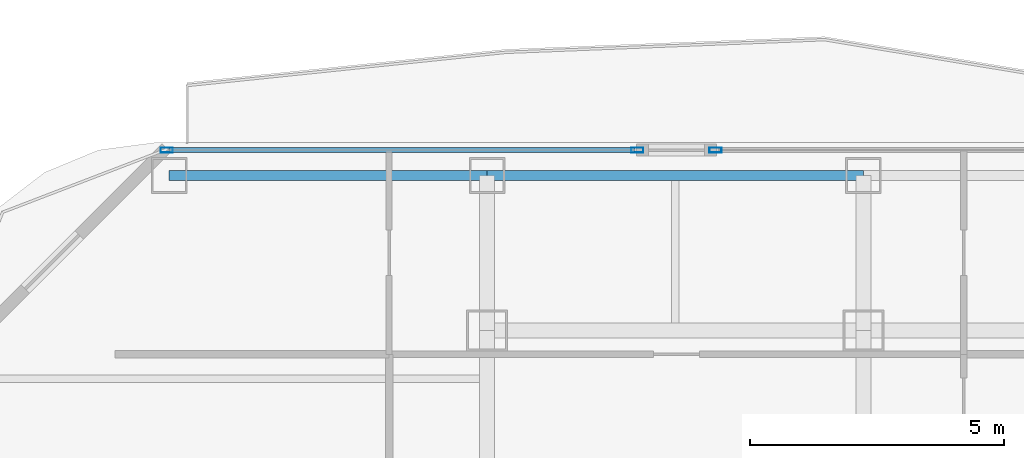
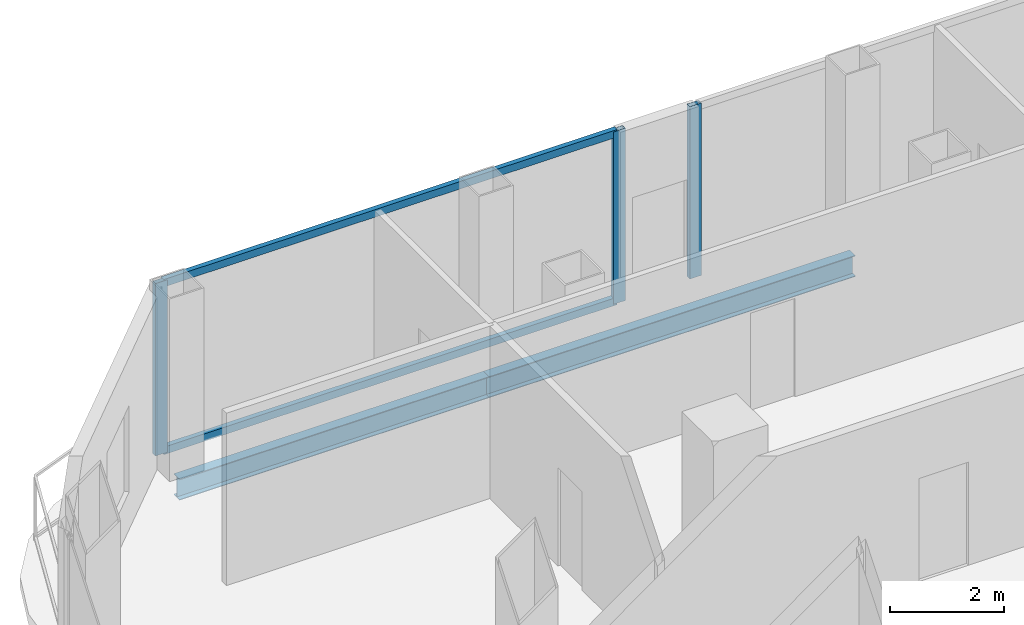
# One storey, part 13 of 25: 5 members, 2 beams, 2 elements without a shape of their own.
"""IFC4 building model written with IfcOpenShell, lengths in metres."""

from ifc_helpers import new_model, si_unit, direction, frame, origin, origin_2d, place, context, subcontext, project, spatial, hollow_rectangle, i_section, extrude, material, layer, layer_set, material_profile, profile_set, type_object, element, aggregate, save


model = new_model("IFC4")

# Units and contexts
model_context = context("Model", 3, precision=1e-05, world=origin(), true_north=direction((0.0, 1.0)))
body_context = subcontext(model_context, "Body", "Model", "MODEL_VIEW")
ifc_project = project(units=[si_unit("LENGTHUNIT", "METRE"), si_unit("AREAUNIT", "SQUARE_METRE"), si_unit("VOLUMEUNIT", "CUBIC_METRE"), si_unit("PLANEANGLEUNIT", "RADIAN"), si_unit("MASSUNIT", "GRAM", prefix="KILO")], contexts=[model_context])

# Site, building, storey
site_placement = place(None, origin())
site = spatial("IfcSite", under=ifc_project, at=site_placement, CompositionType="ELEMENT")
building_placement = place(site_placement, origin())
building = spatial("IfcBuilding", under=site, at=building_placement, Name="Khorvyn Point Tower", CompositionType="ELEMENT")
storey_placement = place(building_placement, frame((0.0, 0.0, 171.89990234375)))
storey = spatial("IfcBuildingStorey", under=building, at=storey_placement, Name="L42", CompositionType="ELEMENT", Elevation=171.89990234375)

# Curtain wall, members
ifc_material_1 = material(Name="Anodised aluminium 6063-T6 and laminated Low-E glass", Category="aluminium")
ifc_layer = layer(ifc_material_1, 0.18994140625)
ifc_layer_set = layer_set([ifc_layer], Name="Stick-Built Acoustic Curtain Wall CW-SYS-03")
curtain_wall_type = type_object("IfcCurtainWallType", Name="Stick-Built Acoustic Curtain Wall CW-SYS-03", PredefinedType="NOTDEFINED", material=ifc_layer_set)
curtain_wall_1_placement = place(storey_placement, origin())
curtain_wall_1 = element("IfcCurtainWall", 1, at=curtain_wall_1_placement, inside=storey, type_object=curtain_wall_type, Name="Curtain Wall", PredefinedType="NOTDEFINED")
ifc_material_2 = material(Name="Anodised aluminium 6063-T6", Category="aluminium")
ifc_material_profile_1 = material_profile(ifc_material_2, hollow_rectangle(XDim=0.10009765625, YDim=0.239990234375, WallThickness=0.0048828125, at=origin_2d()))
ifc_profile_set_1 = profile_set([ifc_material_profile_1], Name="Anodised aluminium 6063-T6 ALU-MUL-100x240")
member_type_1 = type_object("IfcMemberType", Name="Anodised Aluminium 6063-T6 Mullion ALU-MUL-100x240", PredefinedType="MULLION", material=ifc_profile_set_1)
member_1_placement = place(storey_placement, frame((-21.10009765625, 23.64990234375, 0.0), z_axis=(0.0, 0.0, 1.0), x_axis=(0.0, 1.0, 0.0)))
member_1 = element("IfcMember", 2, at=member_1_placement, type_object=member_type_1, Name="Transom", PredefinedType="MULLION", context=body_context, shape_type="SweptSolid", body=[
    extrude(hollow_rectangle(XDim=0.10009765625, YDim=0.239990234375, WallThickness=0.0048828125, at=origin_2d()), origin(), (0.0, 0.0, 1.0), 3.68017578125),
])
member_2_placement = place(storey_placement, frame((-11.846923828125, 23.64990234375, 0.0), z_axis=(0.0, 0.0, 1.0), x_axis=(0.0, 1.0, 0.0)))
member_2 = element("IfcMember", 3, at=member_2_placement, type_object=member_type_1, Name="Transom", PredefinedType="MULLION", context=body_context, shape_type="SweptSolid", body=[
    extrude(hollow_rectangle(XDim=0.10009765625, YDim=0.239990234375, WallThickness=0.0048828125, at=origin_2d()), origin(), (0.0, 0.0, 1.0), 3.68017578125),
])

# Curtain wall, member
curtain_wall_2_placement = place(storey_placement, origin())
curtain_wall_2 = element("IfcCurtainWall", 4, at=curtain_wall_2_placement, inside=storey, type_object=curtain_wall_type, Name="Curtain Wall", PredefinedType="NOTDEFINED")
member_3_placement = place(storey_placement, frame((-10.306884765625, 23.64990234375, 0.0), z_axis=(0.0, 0.0, 1.0), x_axis=(0.0, 1.0, 0.0)))
member_3 = element("IfcMember", 5, at=member_3_placement, type_object=member_type_1, Name="Transom", PredefinedType="MULLION", context=body_context, shape_type="SweptSolid", body=[
    extrude(hollow_rectangle(XDim=0.10009765625, YDim=0.239990234375, WallThickness=0.0048828125, at=origin_2d()), origin(), (0.0, 0.0, 1.0), 3.68017578125),
])
aggregate(curtain_wall_2, [member_3])

# Member
ifc_material_profile_2 = material_profile(ifc_material_2, hollow_rectangle(XDim=0.10009765625, YDim=0.159912109375, WallThickness=0.00439453125, at=origin_2d()))
ifc_profile_set_2 = profile_set([ifc_material_profile_2], Name="Anodised aluminium 6063-T6 ALU-TRN-100x160")
member_type_2 = type_object("IfcMemberType", Name="Anodised Aluminium 6063-T6 Transom ALU-TRN-100x160", PredefinedType="USERDEFINED", material=ifc_profile_set_2)
member_4_placement = place(storey_placement, frame((-21.050048828125, 23.64990234375, 0.050048828125), z_axis=(1.0, 0.0, 0.0), x_axis=(0.0, 1.0, 0.0)))
member_4 = element("IfcMember", 6, at=member_4_placement, type_object=member_type_2, Name="Transom", ObjectType="TRANSOM", PredefinedType="USERDEFINED", context=body_context, shape_type="SweptSolid", body=[
    extrude(hollow_rectangle(XDim=0.10009765625, YDim=0.159912109375, WallThickness=0.00439453125, at=origin_2d()), origin(), (0.0, 0.0, 1.0), 9.153076171875),
])

member_5_placement = place(storey_placement, frame((-21.050048828125, 23.64990234375, 3.630126953125), z_axis=(1.0, 0.0, 0.0), x_axis=(0.0, 1.0, 0.0)))
member_5 = element("IfcMember", 7, at=member_5_placement, type_object=member_type_2, Name="Transom", ObjectType="TRANSOM", PredefinedType="USERDEFINED", context=body_context, shape_type="SweptSolid", body=[
    extrude(hollow_rectangle(XDim=0.10009765625, YDim=0.159912109375, WallThickness=0.00439453125, at=origin_2d()), origin(), (0.0, 0.0, 1.0), 9.153076171875),
])

aggregate(curtain_wall_1, [member_1, member_2, member_4, member_5])

# Beams
ifc_material_3 = material(Name="Steel S355", Category="steel")
ifc_material_profile_3 = material_profile(ifc_material_3, i_section(OverallWidth=0.199951171875, OverallDepth=0.449951171875, WebThickness=0.009033203125, FlangeThickness=0.013916015625, at=origin_2d()))
ifc_profile_set_3 = profile_set([ifc_material_profile_3], Name="Steel S355 H450x200x9x14")
beam_type = type_object("IfcBeamType", Name="Steel S355 Spandrel H450x200x9x14", PredefinedType="SPANDREL", material=ifc_profile_set_3)
beam_1_placement = place(storey_placement, frame((-21.050048828125, 23.14990234375, -0.44482421875), z_axis=(1.0, 0.0, 0.0), x_axis=(0.0, 1.0, 0.0)))
element("IfcBeam", 8, at=beam_1_placement, inside=storey, type_object=beam_type, Name="Beam", PredefinedType="SPANDREL", context=body_context, shape_type="SweptSolid", body=[
    extrude(i_section(OverallWidth=0.199951171875, OverallDepth=0.449951171875, WebThickness=0.009033203125, FlangeThickness=0.013916015625, at=origin_2d()), origin(), (0.0, 0.0, 1.0), 6.25),
])
beam_2_placement = place(storey_placement, frame((-14.800048828125, 23.14990234375, -0.44482421875), z_axis=(1.0, 0.0, 0.0), x_axis=(0.0, 1.0, 0.0)))
element("IfcBeam", 9, at=beam_2_placement, inside=storey, type_object=beam_type, Name="Beam", PredefinedType="SPANDREL", context=body_context, shape_type="SweptSolid", body=[
    extrude(i_section(OverallWidth=0.199951171875, OverallDepth=0.449951171875, WebThickness=0.009033203125, FlangeThickness=0.013916015625, at=origin_2d()), origin(), (0.0, 0.0, 1.0), 7.400146484375),
])

save(model, "model.ifc")
